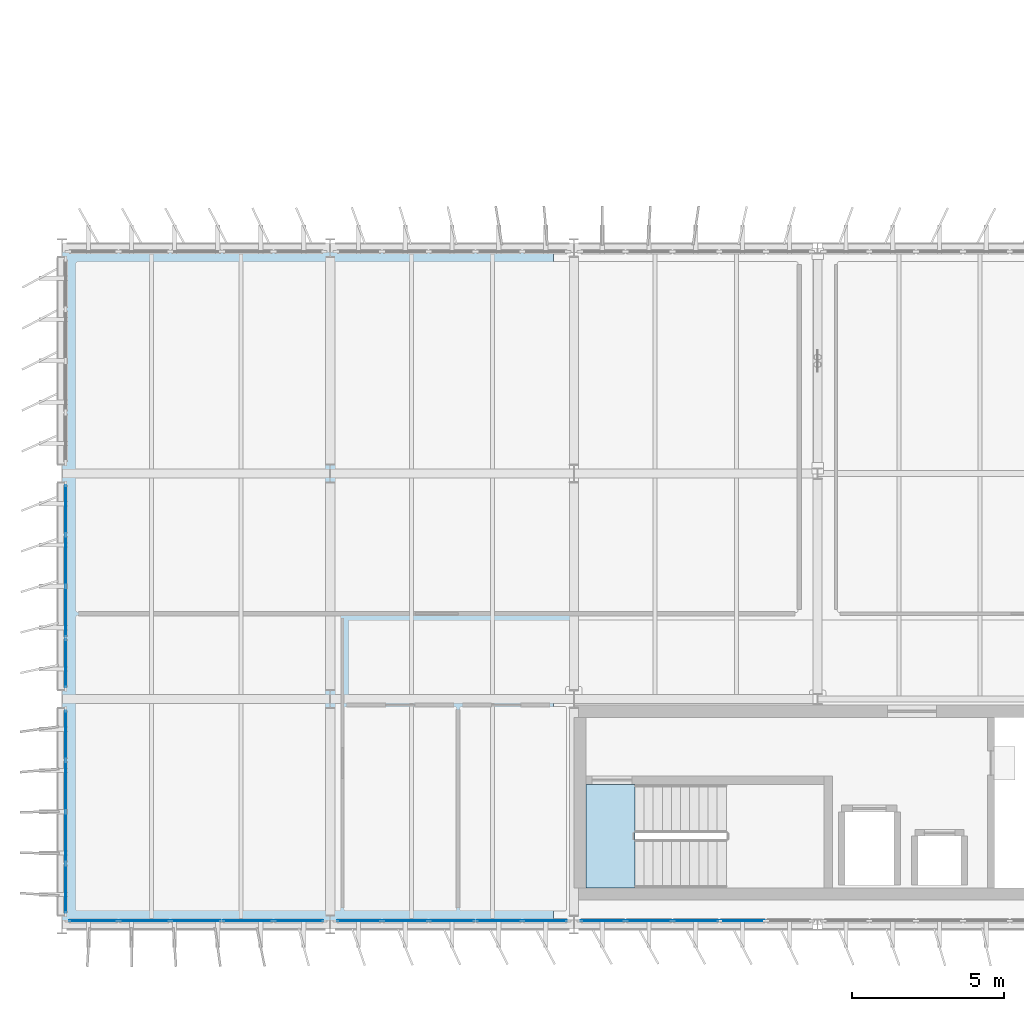
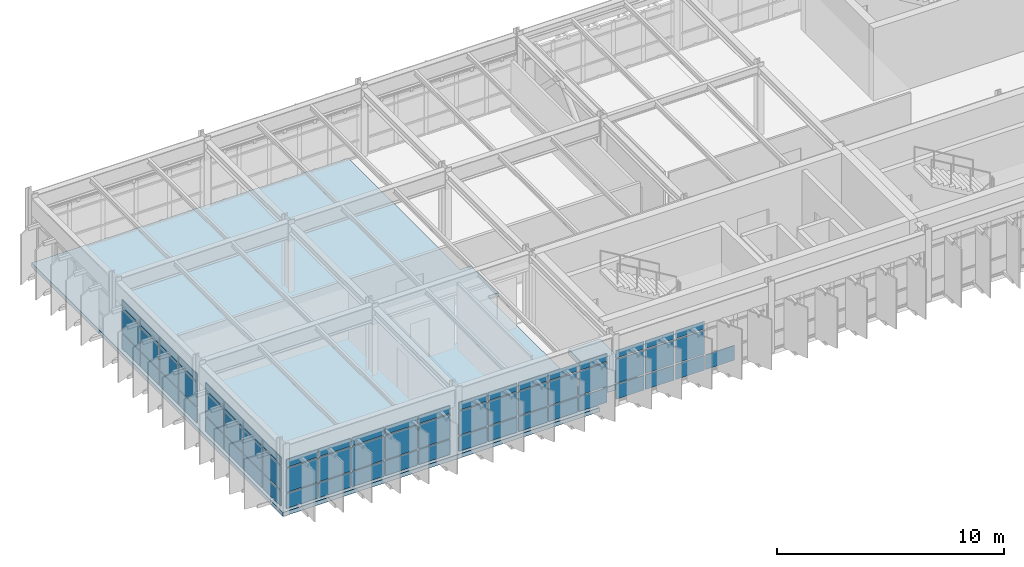
# One storey, part 23 of 45: 64 plates, 2 slabs, 5 elements without a shape of their own.
"""IFC4 building model written with IfcOpenShell, lengths in metres."""

from ifc_helpers import new_model, si_unit, direction, frame, origin, origin_2d, place, context, subcontext, project, spatial, polyline, rectangle, outline, extrude, material, layer, layer_set, type_object, element, aggregate, save


model = new_model("IFC4")

# Units and contexts
model_context = context("Model", 3, precision=1e-05, world=origin(), true_north=direction((0.0, 1.0)))
body_context = subcontext(model_context, "Body", "Model", "MODEL_VIEW")
ifc_project = project(units=[si_unit("LENGTHUNIT", "METRE"), si_unit("AREAUNIT", "SQUARE_METRE"), si_unit("VOLUMEUNIT", "CUBIC_METRE"), si_unit("PLANEANGLEUNIT", "RADIAN"), si_unit("MASSUNIT", "GRAM", prefix="KILO")], contexts=[model_context])

# Site, building, storey
site_placement = place(None, origin())
site = spatial("IfcSite", under=ifc_project, at=site_placement, CompositionType="ELEMENT")
building_placement = place(site_placement, origin())
building = spatial("IfcBuilding", under=site, at=building_placement, Name="Valkorina Park Police Headquarters", CompositionType="ELEMENT")
storey_placement = place(building_placement, frame((0.0, 0.0, 23.300048828125)))
storey = spatial("IfcBuildingStorey", under=building, at=storey_placement, Name="L06", CompositionType="ELEMENT", Elevation=23.300048828125)

# Curtain wall, plates
ifc_material_1 = material(Name="Thermally broken aluminium AW-6060", Category="aluminium")
ifc_layer_1 = layer(ifc_material_1, 0.18994140625)
ifc_layer_set_1 = layer_set([ifc_layer_1], Name="Thermally broken aluminium AW-6060")
curtain_wall_type_1 = type_object("IfcCurtainWallType", Name="CW-V5-6780x2770", PredefinedType="NOTDEFINED", material=ifc_layer_set_1)
curtain_wall_1_placement = place(storey_placement, origin())
curtain_wall_1 = element("IfcCurtainWall", 1, at=curtain_wall_1_placement, inside=storey, type_object=curtain_wall_type_1, Name="L06 Unitised Curtain Wall 097", PredefinedType="NOTDEFINED")
ifc_layer_2 = layer(ifc_material_1, 0.050048828125)
ifc_layer_set_2 = layer_set([ifc_layer_2], Name="Thermally broken aluminium AW-6060")
plate_type_1 = type_object("IfcPlateType", Name="PL-CWP-SPANDREL-50", PredefinedType="CURTAIN_PANEL", material=ifc_layer_set_2)
plate_1_placement = place(storey_placement, frame((0.1201171875, 38.175048828125, 0.070068359375), z_axis=(0.0, 0.0, 1.0), x_axis=(0.0, 1.0, 0.0)))
plate_1 = element("IfcPlate", 2, at=plate_1_placement, type_object=plate_type_1, Name="CW-V5-678-277 panel 1.1", PredefinedType="CURTAIN_PANEL", context=body_context, shape_type="SweptSolid", body=[
    extrude(rectangle(XDim=1.590087890625, YDim=0.028076171875, at=origin_2d()), origin(), (0.0, 0.0, 1.0), 0.794921875),
])
plate_2_placement = place(storey_placement, frame((0.1201171875, 39.8525390625, 0.070068359375), z_axis=(0.0, 0.0, 1.0), x_axis=(0.0, 1.0, 0.0)))
plate_2 = element("IfcPlate", 3, at=plate_2_placement, type_object=plate_type_1, Name="CW-V5-678-277 panel 2.1", PredefinedType="CURTAIN_PANEL", context=body_context, shape_type="SweptSolid", body=[
    extrude(rectangle(XDim=1.625, YDim=0.028076171875, at=origin_2d()), origin(), (0.0, 0.0, 1.0), 0.794921875),
])
plate_3_placement = place(storey_placement, frame((0.1201171875, 41.547607421875, 0.070068359375), z_axis=(0.0, 0.0, 1.0), x_axis=(0.0, 1.0, 0.0)))
plate_3 = element("IfcPlate", 4, at=plate_3_placement, type_object=plate_type_1, Name="CW-V5-678-277 panel 3.1", PredefinedType="CURTAIN_PANEL", context=body_context, shape_type="SweptSolid", body=[
    extrude(rectangle(XDim=1.625, YDim=0.028076171875, at=origin_2d()), origin(), (0.0, 0.0, 1.0), 0.794921875),
])
plate_4_placement = place(storey_placement, frame((0.1201171875, 43.22509765625, 0.070068359375), z_axis=(0.0, 0.0, 1.0), x_axis=(0.0, 1.0, 0.0)))
plate_4 = element("IfcPlate", 5, at=plate_4_placement, type_object=plate_type_1, Name="CW-V5-678-277 panel 4.1", PredefinedType="CURTAIN_PANEL", context=body_context, shape_type="SweptSolid", body=[
    extrude(rectangle(XDim=1.590087890625, YDim=0.028076171875, at=origin_2d()), origin(), (0.0, 0.0, 1.0), 0.794921875),
])

curtain_wall_2_placement = place(storey_placement, origin())
curtain_wall_2 = element("IfcCurtainWall", 6, at=curtain_wall_2_placement, inside=storey, type_object=curtain_wall_type_1, Name="L06 Unitised Curtain Wall 098", PredefinedType="NOTDEFINED")
plate_5_placement = place(storey_placement, frame((0.1201171875, 45.574951171875, 0.070068359375), z_axis=(0.0, 0.0, 1.0), x_axis=(0.0, 1.0, 0.0)))
plate_5 = element("IfcPlate", 7, at=plate_5_placement, type_object=plate_type_1, Name="CW-V5-678-277 panel 1.1", PredefinedType="CURTAIN_PANEL", context=body_context, shape_type="SweptSolid", body=[
    extrude(rectangle(XDim=1.590087890625, YDim=0.028076171875, at=origin_2d()), origin(), (0.0, 0.0, 1.0), 0.794921875),
])
plate_6_placement = place(storey_placement, frame((0.1201171875, 47.25244140625, 0.070068359375), z_axis=(0.0, 0.0, 1.0), x_axis=(0.0, 1.0, 0.0)))
plate_6 = element("IfcPlate", 8, at=plate_6_placement, type_object=plate_type_1, Name="CW-V5-678-277 panel 2.1", PredefinedType="CURTAIN_PANEL", context=body_context, shape_type="SweptSolid", body=[
    extrude(rectangle(XDim=1.625, YDim=0.028076171875, at=origin_2d()), origin(), (0.0, 0.0, 1.0), 0.794921875),
])
plate_7_placement = place(storey_placement, frame((0.1201171875, 48.947509765625, 0.070068359375), z_axis=(0.0, 0.0, 1.0), x_axis=(0.0, 1.0, 0.0)))
plate_7 = element("IfcPlate", 9, at=plate_7_placement, type_object=plate_type_1, Name="CW-V5-678-277 panel 3.1", PredefinedType="CURTAIN_PANEL", context=body_context, shape_type="SweptSolid", body=[
    extrude(rectangle(XDim=1.625, YDim=0.028076171875, at=origin_2d()), origin(), (0.0, 0.0, 1.0), 0.794921875),
])
plate_8_placement = place(storey_placement, frame((0.1201171875, 50.625, 0.070068359375), z_axis=(0.0, 0.0, 1.0), x_axis=(0.0, 1.0, 0.0)))
plate_8 = element("IfcPlate", 10, at=plate_8_placement, type_object=plate_type_1, Name="CW-V5-678-277 panel 4.1", PredefinedType="CURTAIN_PANEL", context=body_context, shape_type="SweptSolid", body=[
    extrude(rectangle(XDim=1.590087890625, YDim=0.028076171875, at=origin_2d()), origin(), (0.0, 0.0, 1.0), 0.794921875),
])

ifc_layer_3 = layer(ifc_material_1, 0.18994140625)
ifc_layer_set_3 = layer_set([ifc_layer_3], Name="Thermally broken aluminium AW-6060")
curtain_wall_type_2 = type_object("IfcCurtainWallType", Name="CW-V5-7680x2770", PredefinedType="NOTDEFINED", material=ifc_layer_set_3)
curtain_wall_3_placement = place(storey_placement, origin())
curtain_wall_3 = element("IfcCurtainWall", 11, at=curtain_wall_3_placement, inside=storey, type_object=curtain_wall_type_2, Name="L06 Unitised Curtain Wall 130", PredefinedType="NOTDEFINED")
plate_9_placement = place(storey_placement, frame((22.3359375, 37.1201171875, 0.070068359375), z_axis=(0.0, 0.0, 1.0), x_axis=(-1.0, 0.0, 0.0)))
plate_9 = element("IfcPlate", 12, at=plate_9_placement, type_object=plate_type_1, Name="CW-V5-768-277 panel 2.1", PredefinedType="CURTAIN_PANEL", context=body_context, shape_type="SweptSolid", body=[
    extrude(rectangle(XDim=1.466064453125, YDim=0.028076171875, at=origin_2d()), origin(), (0.0, 0.0, 1.0), 0.794921875),
])
plate_10_placement = place(storey_placement, frame((20.800048828125, 37.1201171875, 0.070068359375), z_axis=(0.0, 0.0, 1.0), x_axis=(-1.0, 0.0, 0.0)))
plate_10 = element("IfcPlate", 13, at=plate_10_placement, type_object=plate_type_1, Name="CW-V5-768-277 panel 3.1", PredefinedType="CURTAIN_PANEL", context=body_context, shape_type="SweptSolid", body=[
    extrude(rectangle(XDim=1.466064453125, YDim=0.028076171875, at=origin_2d()), origin(), (0.0, 0.0, 1.0), 0.794921875),
])
plate_11_placement = place(storey_placement, frame((19.263916015625, 37.1201171875, 0.070068359375), z_axis=(0.0, 0.0, 1.0), x_axis=(-1.0, 0.0, 0.0)))
plate_11 = element("IfcPlate", 14, at=plate_11_placement, type_object=plate_type_1, Name="CW-V5-768-277 panel 4.1", PredefinedType="CURTAIN_PANEL", context=body_context, shape_type="SweptSolid", body=[
    extrude(rectangle(XDim=1.466064453125, YDim=0.028076171875, at=origin_2d()), origin(), (0.0, 0.0, 1.0), 0.794921875),
])
plate_12_placement = place(storey_placement, frame((17.74560546875, 37.1201171875, 0.070068359375), z_axis=(0.0, 0.0, 1.0), x_axis=(-1.0, 0.0, 0.0)))
plate_12 = element("IfcPlate", 15, at=plate_12_placement, type_object=plate_type_1, Name="CW-V5-768-277 panel 5.1", PredefinedType="CURTAIN_PANEL", context=body_context, shape_type="SweptSolid", body=[
    extrude(rectangle(XDim=1.430908203125, YDim=0.028076171875, at=origin_2d()), origin(), (0.0, 0.0, 1.0), 0.794921875),
])

curtain_wall_4_placement = place(storey_placement, origin())
curtain_wall_4 = element("IfcCurtainWall", 16, at=curtain_wall_4_placement, inside=storey, type_object=curtain_wall_type_2, Name="L06 Unitised Curtain Wall 131", PredefinedType="NOTDEFINED")
plate_13_placement = place(storey_placement, frame((15.8544921875, 37.1201171875, 0.070068359375), z_axis=(0.0, 0.0, 1.0), x_axis=(-1.0, 0.0, 0.0)))
plate_13 = element("IfcPlate", 17, at=plate_13_placement, type_object=plate_type_1, Name="CW-V5-768-277 panel 1.1", PredefinedType="CURTAIN_PANEL", context=body_context, shape_type="SweptSolid", body=[
    extrude(rectangle(XDim=1.430908203125, YDim=0.028076171875, at=origin_2d()), origin(), (0.0, 0.0, 1.0), 0.794921875),
])
plate_14_placement = place(storey_placement, frame((14.3359375, 37.1201171875, 0.070068359375), z_axis=(0.0, 0.0, 1.0), x_axis=(-1.0, 0.0, 0.0)))
plate_14 = element("IfcPlate", 18, at=plate_14_placement, type_object=plate_type_1, Name="CW-V5-768-277 panel 2.1", PredefinedType="CURTAIN_PANEL", context=body_context, shape_type="SweptSolid", body=[
    extrude(rectangle(XDim=1.466064453125, YDim=0.028076171875, at=origin_2d()), origin(), (0.0, 0.0, 1.0), 0.794921875),
])
plate_15_placement = place(storey_placement, frame((12.800048828125, 37.1201171875, 0.070068359375), z_axis=(0.0, 0.0, 1.0), x_axis=(-1.0, 0.0, 0.0)))
plate_15 = element("IfcPlate", 19, at=plate_15_placement, type_object=plate_type_1, Name="CW-V5-768-277 panel 3.1", PredefinedType="CURTAIN_PANEL", context=body_context, shape_type="SweptSolid", body=[
    extrude(rectangle(XDim=1.466064453125, YDim=0.028076171875, at=origin_2d()), origin(), (0.0, 0.0, 1.0), 0.794921875),
])
plate_16_placement = place(storey_placement, frame((11.263916015625, 37.1201171875, 0.070068359375), z_axis=(0.0, 0.0, 1.0), x_axis=(-1.0, 0.0, 0.0)))
plate_16 = element("IfcPlate", 20, at=plate_16_placement, type_object=plate_type_1, Name="CW-V5-768-277 panel 4.1", PredefinedType="CURTAIN_PANEL", context=body_context, shape_type="SweptSolid", body=[
    extrude(rectangle(XDim=1.466064453125, YDim=0.028076171875, at=origin_2d()), origin(), (0.0, 0.0, 1.0), 0.794921875),
])
plate_17_placement = place(storey_placement, frame((9.74560546875, 37.1201171875, 0.070068359375), z_axis=(0.0, 0.0, 1.0), x_axis=(-1.0, 0.0, 0.0)))
plate_17 = element("IfcPlate", 21, at=plate_17_placement, type_object=plate_type_1, Name="CW-V5-768-277 panel 5.1", PredefinedType="CURTAIN_PANEL", context=body_context, shape_type="SweptSolid", body=[
    extrude(rectangle(XDim=1.430908203125, YDim=0.028076171875, at=origin_2d()), origin(), (0.0, 0.0, 1.0), 0.794921875),
])

ifc_layer_4 = layer(ifc_material_1, 0.18994140625)
ifc_layer_set_4 = layer_set([ifc_layer_4], Name="Thermally broken aluminium AW-6060")
curtain_wall_type_3 = type_object("IfcCurtainWallType", Name="CW-V5-8480x2770", PredefinedType="NOTDEFINED", material=ifc_layer_set_4)
curtain_wall_5_placement = place(storey_placement, origin())
curtain_wall_5 = element("IfcCurtainWall", 22, at=curtain_wall_5_placement, inside=storey, type_object=curtain_wall_type_3, Name="L06 Unitised Curtain Wall 132", PredefinedType="NOTDEFINED")
plate_18_placement = place(storey_placement, frame((7.7744140625, 37.1201171875, 0.070068359375), z_axis=(0.0, 0.0, 1.0), x_axis=(-1.0, 0.0, 0.0)))
plate_18 = element("IfcPlate", 23, at=plate_18_placement, type_object=plate_type_1, Name="CW-V5-848-277 panel 1.1", PredefinedType="CURTAIN_PANEL", context=body_context, shape_type="SweptSolid", body=[
    extrude(rectangle(XDim=1.591064453125, YDim=0.028076171875, at=origin_2d()), origin(), (0.0, 0.0, 1.0), 0.794921875),
])
plate_19_placement = place(storey_placement, frame((6.095947265625, 37.1201171875, 0.070068359375), z_axis=(0.0, 0.0, 1.0), x_axis=(-1.0, 0.0, 0.0)))
plate_19 = element("IfcPlate", 24, at=plate_19_placement, type_object=plate_type_1, Name="CW-V5-848-277 panel 2.1", PredefinedType="CURTAIN_PANEL", context=body_context, shape_type="SweptSolid", body=[
    extrude(rectangle(XDim=1.6259765625, YDim=0.028076171875, at=origin_2d()), origin(), (0.0, 0.0, 1.0), 0.794921875),
])
plate_20_placement = place(storey_placement, frame((4.39990234375, 37.1201171875, 0.070068359375), z_axis=(0.0, 0.0, 1.0), x_axis=(-1.0, 0.0, 0.0)))
plate_20 = element("IfcPlate", 25, at=plate_20_placement, type_object=plate_type_1, Name="CW-V5-848-277 panel 3.1", PredefinedType="CURTAIN_PANEL", context=body_context, shape_type="SweptSolid", body=[
    extrude(rectangle(XDim=1.6259765625, YDim=0.028076171875, at=origin_2d()), origin(), (0.0, 0.0, 1.0), 0.794921875),
])
plate_21_placement = place(storey_placement, frame((2.7041015625, 37.1201171875, 0.070068359375), z_axis=(0.0, 0.0, 1.0), x_axis=(-1.0, 0.0, 0.0)))
plate_21 = element("IfcPlate", 26, at=plate_21_placement, type_object=plate_type_1, Name="CW-V5-848-277 panel 4.1", PredefinedType="CURTAIN_PANEL", context=body_context, shape_type="SweptSolid", body=[
    extrude(rectangle(XDim=1.6259765625, YDim=0.028076171875, at=origin_2d()), origin(), (0.0, 0.0, 1.0), 0.794921875),
])
plate_22_placement = place(storey_placement, frame((1.025390625, 37.1201171875, 0.070068359375), z_axis=(0.0, 0.0, 1.0), x_axis=(-1.0, 0.0, 0.0)))
plate_22 = element("IfcPlate", 27, at=plate_22_placement, type_object=plate_type_1, Name="CW-V5-848-277 panel 5.1", PredefinedType="CURTAIN_PANEL", context=body_context, shape_type="SweptSolid", body=[
    extrude(rectangle(XDim=1.591064453125, YDim=0.028076171875, at=origin_2d()), origin(), (0.0, 0.0, 1.0), 0.794921875),
])

# Plate
ifc_material_2 = material(Name="Triple low-E insulated glazing", Category="glass")
ifc_layer_5 = layer(ifc_material_2, 0.028076171875)
ifc_layer_set_5 = layer_set([ifc_layer_5], Name="Triple low-E insulated glazing")
plate_type_2 = type_object("IfcPlateType", Name="PL-CWP-VISION-28", PredefinedType="CURTAIN_PANEL", material=ifc_layer_set_5)
plate_23_placement = place(storey_placement, frame((0.1201171875, 38.175048828125, 0.93505859375), z_axis=(0.0, 0.0, 1.0), x_axis=(0.0, 1.0, 0.0)))
plate_23 = element("IfcPlate", 28, at=plate_23_placement, type_object=plate_type_2, Name="CW-V5-678-277 panel 1.2", PredefinedType="CURTAIN_PANEL", context=body_context, shape_type="SweptSolid", body=[
    extrude(rectangle(XDim=1.590087890625, YDim=0.028076171875, at=origin_2d()), origin(), (0.0, 0.0, 1.0), 1.280029296875),
])

plate_24_placement = place(storey_placement, frame((0.1201171875, 38.175048828125, 2.284912109375), z_axis=(0.0, 0.0, 1.0), x_axis=(0.0, 1.0, 0.0)))
plate_24 = element("IfcPlate", 29, at=plate_24_placement, type_object=plate_type_2, Name="CW-V5-678-277 panel 1.3", PredefinedType="CURTAIN_PANEL", context=body_context, shape_type="SweptSolid", body=[
    extrude(rectangle(XDim=1.590087890625, YDim=0.028076171875, at=origin_2d()), origin(), (0.0, 0.0, 1.0), 0.4150390625),
])

plate_25_placement = place(storey_placement, frame((0.1201171875, 39.8525390625, 0.93505859375), z_axis=(0.0, 0.0, 1.0), x_axis=(0.0, 1.0, 0.0)))
plate_25 = element("IfcPlate", 30, at=plate_25_placement, type_object=plate_type_2, Name="CW-V5-678-277 panel 2.2", PredefinedType="CURTAIN_PANEL", context=body_context, shape_type="SweptSolid", body=[
    extrude(rectangle(XDim=1.625, YDim=0.028076171875, at=origin_2d()), origin(), (0.0, 0.0, 1.0), 1.280029296875),
])

plate_26_placement = place(storey_placement, frame((0.1201171875, 39.8525390625, 2.284912109375), z_axis=(0.0, 0.0, 1.0), x_axis=(0.0, 1.0, 0.0)))
plate_26 = element("IfcPlate", 31, at=plate_26_placement, type_object=plate_type_2, Name="CW-V5-678-277 panel 2.3", PredefinedType="CURTAIN_PANEL", context=body_context, shape_type="SweptSolid", body=[
    extrude(rectangle(XDim=1.625, YDim=0.028076171875, at=origin_2d()), origin(), (0.0, 0.0, 1.0), 0.4150390625),
])

plate_27_placement = place(storey_placement, frame((0.1201171875, 41.547607421875, 0.93505859375), z_axis=(0.0, 0.0, 1.0), x_axis=(0.0, 1.0, 0.0)))
plate_27 = element("IfcPlate", 32, at=plate_27_placement, type_object=plate_type_2, Name="CW-V5-678-277 panel 3.2", PredefinedType="CURTAIN_PANEL", context=body_context, shape_type="SweptSolid", body=[
    extrude(rectangle(XDim=1.625, YDim=0.028076171875, at=origin_2d()), origin(), (0.0, 0.0, 1.0), 1.280029296875),
])

plate_28_placement = place(storey_placement, frame((0.1201171875, 41.547607421875, 2.284912109375), z_axis=(0.0, 0.0, 1.0), x_axis=(0.0, 1.0, 0.0)))
plate_28 = element("IfcPlate", 33, at=plate_28_placement, type_object=plate_type_2, Name="CW-V5-678-277 panel 3.3", PredefinedType="CURTAIN_PANEL", context=body_context, shape_type="SweptSolid", body=[
    extrude(rectangle(XDim=1.625, YDim=0.028076171875, at=origin_2d()), origin(), (0.0, 0.0, 1.0), 0.4150390625),
])

plate_29_placement = place(storey_placement, frame((0.1201171875, 43.22509765625, 0.93505859375), z_axis=(0.0, 0.0, 1.0), x_axis=(0.0, 1.0, 0.0)))
plate_29 = element("IfcPlate", 34, at=plate_29_placement, type_object=plate_type_2, Name="CW-V5-678-277 panel 4.2", PredefinedType="CURTAIN_PANEL", context=body_context, shape_type="SweptSolid", body=[
    extrude(rectangle(XDim=1.590087890625, YDim=0.028076171875, at=origin_2d()), origin(), (0.0, 0.0, 1.0), 1.280029296875),
])

plate_30_placement = place(storey_placement, frame((0.1201171875, 43.22509765625, 2.284912109375), z_axis=(0.0, 0.0, 1.0), x_axis=(0.0, 1.0, 0.0)))
plate_30 = element("IfcPlate", 35, at=plate_30_placement, type_object=plate_type_2, Name="CW-V5-678-277 panel 4.3", PredefinedType="CURTAIN_PANEL", context=body_context, shape_type="SweptSolid", body=[
    extrude(rectangle(XDim=1.590087890625, YDim=0.028076171875, at=origin_2d()), origin(), (0.0, 0.0, 1.0), 0.4150390625),
])

aggregate(curtain_wall_1, [plate_1, plate_23, plate_24, plate_2, plate_25, plate_26, plate_3, plate_27, plate_28, plate_4, plate_29, plate_30])

plate_31_placement = place(storey_placement, frame((0.1201171875, 45.574951171875, 0.93505859375), z_axis=(0.0, 0.0, 1.0), x_axis=(0.0, 1.0, 0.0)))
plate_31 = element("IfcPlate", 36, at=plate_31_placement, type_object=plate_type_2, Name="CW-V5-678-277 panel 1.2", PredefinedType="CURTAIN_PANEL", context=body_context, shape_type="SweptSolid", body=[
    extrude(rectangle(XDim=1.590087890625, YDim=0.028076171875, at=origin_2d()), origin(), (0.0, 0.0, 1.0), 1.280029296875),
])

plate_32_placement = place(storey_placement, frame((0.1201171875, 45.574951171875, 2.284912109375), z_axis=(0.0, 0.0, 1.0), x_axis=(0.0, 1.0, 0.0)))
plate_32 = element("IfcPlate", 37, at=plate_32_placement, type_object=plate_type_2, Name="CW-V5-678-277 panel 1.3", PredefinedType="CURTAIN_PANEL", context=body_context, shape_type="SweptSolid", body=[
    extrude(rectangle(XDim=1.590087890625, YDim=0.028076171875, at=origin_2d()), origin(), (0.0, 0.0, 1.0), 0.4150390625),
])

plate_33_placement = place(storey_placement, frame((0.1201171875, 47.25244140625, 0.93505859375), z_axis=(0.0, 0.0, 1.0), x_axis=(0.0, 1.0, 0.0)))
plate_33 = element("IfcPlate", 38, at=plate_33_placement, type_object=plate_type_2, Name="CW-V5-678-277 panel 2.2", PredefinedType="CURTAIN_PANEL", context=body_context, shape_type="SweptSolid", body=[
    extrude(rectangle(XDim=1.625, YDim=0.028076171875, at=origin_2d()), origin(), (0.0, 0.0, 1.0), 1.280029296875),
])

plate_34_placement = place(storey_placement, frame((0.1201171875, 47.25244140625, 2.284912109375), z_axis=(0.0, 0.0, 1.0), x_axis=(0.0, 1.0, 0.0)))
plate_34 = element("IfcPlate", 39, at=plate_34_placement, type_object=plate_type_2, Name="CW-V5-678-277 panel 2.3", PredefinedType="CURTAIN_PANEL", context=body_context, shape_type="SweptSolid", body=[
    extrude(rectangle(XDim=1.625, YDim=0.028076171875, at=origin_2d()), origin(), (0.0, 0.0, 1.0), 0.4150390625),
])

plate_35_placement = place(storey_placement, frame((0.1201171875, 48.947509765625, 0.93505859375), z_axis=(0.0, 0.0, 1.0), x_axis=(0.0, 1.0, 0.0)))
plate_35 = element("IfcPlate", 40, at=plate_35_placement, type_object=plate_type_2, Name="CW-V5-678-277 panel 3.2", PredefinedType="CURTAIN_PANEL", context=body_context, shape_type="SweptSolid", body=[
    extrude(rectangle(XDim=1.625, YDim=0.028076171875, at=origin_2d()), origin(), (0.0, 0.0, 1.0), 1.280029296875),
])

plate_36_placement = place(storey_placement, frame((0.1201171875, 48.947509765625, 2.284912109375), z_axis=(0.0, 0.0, 1.0), x_axis=(0.0, 1.0, 0.0)))
plate_36 = element("IfcPlate", 41, at=plate_36_placement, type_object=plate_type_2, Name="CW-V5-678-277 panel 3.3", PredefinedType="CURTAIN_PANEL", context=body_context, shape_type="SweptSolid", body=[
    extrude(rectangle(XDim=1.625, YDim=0.028076171875, at=origin_2d()), origin(), (0.0, 0.0, 1.0), 0.4150390625),
])

plate_37_placement = place(storey_placement, frame((0.1201171875, 50.625, 0.93505859375), z_axis=(0.0, 0.0, 1.0), x_axis=(0.0, 1.0, 0.0)))
plate_37 = element("IfcPlate", 42, at=plate_37_placement, type_object=plate_type_2, Name="CW-V5-678-277 panel 4.2", PredefinedType="CURTAIN_PANEL", context=body_context, shape_type="SweptSolid", body=[
    extrude(rectangle(XDim=1.590087890625, YDim=0.028076171875, at=origin_2d()), origin(), (0.0, 0.0, 1.0), 1.280029296875),
])

plate_38_placement = place(storey_placement, frame((0.1201171875, 50.625, 2.284912109375), z_axis=(0.0, 0.0, 1.0), x_axis=(0.0, 1.0, 0.0)))
plate_38 = element("IfcPlate", 43, at=plate_38_placement, type_object=plate_type_2, Name="CW-V5-678-277 panel 4.3", PredefinedType="CURTAIN_PANEL", context=body_context, shape_type="SweptSolid", body=[
    extrude(rectangle(XDim=1.590087890625, YDim=0.028076171875, at=origin_2d()), origin(), (0.0, 0.0, 1.0), 0.4150390625),
])

aggregate(curtain_wall_2, [plate_5, plate_31, plate_32, plate_6, plate_33, plate_34, plate_7, plate_35, plate_36, plate_8, plate_37, plate_38])

plate_39_placement = place(storey_placement, frame((20.800048828125, 37.1201171875, 0.93505859375), z_axis=(0.0, 0.0, 1.0), x_axis=(-1.0, 0.0, 0.0)))
plate_39 = element("IfcPlate", 44, at=plate_39_placement, type_object=plate_type_2, Name="CW-V5-768-277 panel 3.2", PredefinedType="CURTAIN_PANEL", context=body_context, shape_type="SweptSolid", body=[
    extrude(rectangle(XDim=1.466064453125, YDim=0.028076171875, at=origin_2d()), origin(), (0.0, 0.0, 1.0), 1.280029296875),
])

plate_40_placement = place(storey_placement, frame((20.800048828125, 37.1201171875, 2.284912109375), z_axis=(0.0, 0.0, 1.0), x_axis=(-1.0, 0.0, 0.0)))
plate_40 = element("IfcPlate", 45, at=plate_40_placement, type_object=plate_type_2, Name="CW-V5-768-277 panel 3.3", PredefinedType="CURTAIN_PANEL", context=body_context, shape_type="SweptSolid", body=[
    extrude(rectangle(XDim=1.466064453125, YDim=0.028076171875, at=origin_2d()), origin(), (0.0, 0.0, 1.0), 0.4150390625),
])

plate_41_placement = place(storey_placement, frame((19.263916015625, 37.1201171875, 0.93505859375), z_axis=(0.0, 0.0, 1.0), x_axis=(-1.0, 0.0, 0.0)))
plate_41 = element("IfcPlate", 46, at=plate_41_placement, type_object=plate_type_2, Name="CW-V5-768-277 panel 4.2", PredefinedType="CURTAIN_PANEL", context=body_context, shape_type="SweptSolid", body=[
    extrude(rectangle(XDim=1.466064453125, YDim=0.028076171875, at=origin_2d()), origin(), (0.0, 0.0, 1.0), 1.280029296875),
])

plate_42_placement = place(storey_placement, frame((19.263916015625, 37.1201171875, 2.284912109375), z_axis=(0.0, 0.0, 1.0), x_axis=(-1.0, 0.0, 0.0)))
plate_42 = element("IfcPlate", 47, at=plate_42_placement, type_object=plate_type_2, Name="CW-V5-768-277 panel 4.3", PredefinedType="CURTAIN_PANEL", context=body_context, shape_type="SweptSolid", body=[
    extrude(rectangle(XDim=1.466064453125, YDim=0.028076171875, at=origin_2d()), origin(), (0.0, 0.0, 1.0), 0.4150390625),
])

plate_43_placement = place(storey_placement, frame((17.74560546875, 37.1201171875, 0.93505859375), z_axis=(0.0, 0.0, 1.0), x_axis=(-1.0, 0.0, 0.0)))
plate_43 = element("IfcPlate", 48, at=plate_43_placement, type_object=plate_type_2, Name="CW-V5-768-277 panel 5.2", PredefinedType="CURTAIN_PANEL", context=body_context, shape_type="SweptSolid", body=[
    extrude(rectangle(XDim=1.430908203125, YDim=0.028076171875, at=origin_2d()), origin(), (0.0, 0.0, 1.0), 1.280029296875),
])

plate_44_placement = place(storey_placement, frame((17.74560546875, 37.1201171875, 2.284912109375), z_axis=(0.0, 0.0, 1.0), x_axis=(-1.0, 0.0, 0.0)))
plate_44 = element("IfcPlate", 49, at=plate_44_placement, type_object=plate_type_2, Name="CW-V5-768-277 panel 5.3", PredefinedType="CURTAIN_PANEL", context=body_context, shape_type="SweptSolid", body=[
    extrude(rectangle(XDim=1.430908203125, YDim=0.028076171875, at=origin_2d()), origin(), (0.0, 0.0, 1.0), 0.4150390625),
])

aggregate(curtain_wall_3, [plate_9, plate_10, plate_39, plate_40, plate_11, plate_41, plate_42, plate_12, plate_43, plate_44])

plate_45_placement = place(storey_placement, frame((15.8544921875, 37.1201171875, 0.93505859375), z_axis=(0.0, 0.0, 1.0), x_axis=(-1.0, 0.0, 0.0)))
plate_45 = element("IfcPlate", 50, at=plate_45_placement, type_object=plate_type_2, Name="CW-V5-768-277 panel 1.2", PredefinedType="CURTAIN_PANEL", context=body_context, shape_type="SweptSolid", body=[
    extrude(rectangle(XDim=1.430908203125, YDim=0.028076171875, at=origin_2d()), origin(), (0.0, 0.0, 1.0), 1.280029296875),
])

plate_46_placement = place(storey_placement, frame((15.8544921875, 37.1201171875, 2.284912109375), z_axis=(0.0, 0.0, 1.0), x_axis=(-1.0, 0.0, 0.0)))
plate_46 = element("IfcPlate", 51, at=plate_46_placement, type_object=plate_type_2, Name="CW-V5-768-277 panel 1.3", PredefinedType="CURTAIN_PANEL", context=body_context, shape_type="SweptSolid", body=[
    extrude(rectangle(XDim=1.430908203125, YDim=0.028076171875, at=origin_2d()), origin(), (0.0, 0.0, 1.0), 0.4150390625),
])

plate_47_placement = place(storey_placement, frame((14.3359375, 37.1201171875, 0.93505859375), z_axis=(0.0, 0.0, 1.0), x_axis=(-1.0, 0.0, 0.0)))
plate_47 = element("IfcPlate", 52, at=plate_47_placement, type_object=plate_type_2, Name="CW-V5-768-277 panel 2.2", PredefinedType="CURTAIN_PANEL", context=body_context, shape_type="SweptSolid", body=[
    extrude(rectangle(XDim=1.466064453125, YDim=0.028076171875, at=origin_2d()), origin(), (0.0, 0.0, 1.0), 1.280029296875),
])

plate_48_placement = place(storey_placement, frame((14.3359375, 37.1201171875, 2.284912109375), z_axis=(0.0, 0.0, 1.0), x_axis=(-1.0, 0.0, 0.0)))
plate_48 = element("IfcPlate", 53, at=plate_48_placement, type_object=plate_type_2, Name="CW-V5-768-277 panel 2.3", PredefinedType="CURTAIN_PANEL", context=body_context, shape_type="SweptSolid", body=[
    extrude(rectangle(XDim=1.466064453125, YDim=0.028076171875, at=origin_2d()), origin(), (0.0, 0.0, 1.0), 0.4150390625),
])

plate_49_placement = place(storey_placement, frame((12.800048828125, 37.1201171875, 0.93505859375), z_axis=(0.0, 0.0, 1.0), x_axis=(-1.0, 0.0, 0.0)))
plate_49 = element("IfcPlate", 54, at=plate_49_placement, type_object=plate_type_2, Name="CW-V5-768-277 panel 3.2", PredefinedType="CURTAIN_PANEL", context=body_context, shape_type="SweptSolid", body=[
    extrude(rectangle(XDim=1.466064453125, YDim=0.028076171875, at=origin_2d()), origin(), (0.0, 0.0, 1.0), 1.280029296875),
])

plate_50_placement = place(storey_placement, frame((12.800048828125, 37.1201171875, 2.284912109375), z_axis=(0.0, 0.0, 1.0), x_axis=(-1.0, 0.0, 0.0)))
plate_50 = element("IfcPlate", 55, at=plate_50_placement, type_object=plate_type_2, Name="CW-V5-768-277 panel 3.3", PredefinedType="CURTAIN_PANEL", context=body_context, shape_type="SweptSolid", body=[
    extrude(rectangle(XDim=1.466064453125, YDim=0.028076171875, at=origin_2d()), origin(), (0.0, 0.0, 1.0), 0.4150390625),
])

plate_51_placement = place(storey_placement, frame((11.263916015625, 37.1201171875, 0.93505859375), z_axis=(0.0, 0.0, 1.0), x_axis=(-1.0, 0.0, 0.0)))
plate_51 = element("IfcPlate", 56, at=plate_51_placement, type_object=plate_type_2, Name="CW-V5-768-277 panel 4.2", PredefinedType="CURTAIN_PANEL", context=body_context, shape_type="SweptSolid", body=[
    extrude(rectangle(XDim=1.466064453125, YDim=0.028076171875, at=origin_2d()), origin(), (0.0, 0.0, 1.0), 1.280029296875),
])

plate_52_placement = place(storey_placement, frame((11.263916015625, 37.1201171875, 2.284912109375), z_axis=(0.0, 0.0, 1.0), x_axis=(-1.0, 0.0, 0.0)))
plate_52 = element("IfcPlate", 57, at=plate_52_placement, type_object=plate_type_2, Name="CW-V5-768-277 panel 4.3", PredefinedType="CURTAIN_PANEL", context=body_context, shape_type="SweptSolid", body=[
    extrude(rectangle(XDim=1.466064453125, YDim=0.028076171875, at=origin_2d()), origin(), (0.0, 0.0, 1.0), 0.4150390625),
])

plate_53_placement = place(storey_placement, frame((9.74560546875, 37.1201171875, 0.93505859375), z_axis=(0.0, 0.0, 1.0), x_axis=(-1.0, 0.0, 0.0)))
plate_53 = element("IfcPlate", 58, at=plate_53_placement, type_object=plate_type_2, Name="CW-V5-768-277 panel 5.2", PredefinedType="CURTAIN_PANEL", context=body_context, shape_type="SweptSolid", body=[
    extrude(rectangle(XDim=1.430908203125, YDim=0.028076171875, at=origin_2d()), origin(), (0.0, 0.0, 1.0), 1.280029296875),
])

plate_54_placement = place(storey_placement, frame((9.74560546875, 37.1201171875, 2.284912109375), z_axis=(0.0, 0.0, 1.0), x_axis=(-1.0, 0.0, 0.0)))
plate_54 = element("IfcPlate", 59, at=plate_54_placement, type_object=plate_type_2, Name="CW-V5-768-277 panel 5.3", PredefinedType="CURTAIN_PANEL", context=body_context, shape_type="SweptSolid", body=[
    extrude(rectangle(XDim=1.430908203125, YDim=0.028076171875, at=origin_2d()), origin(), (0.0, 0.0, 1.0), 0.4150390625),
])

aggregate(curtain_wall_4, [plate_13, plate_45, plate_46, plate_14, plate_47, plate_48, plate_15, plate_49, plate_50, plate_16, plate_51, plate_52, plate_17, plate_53, plate_54])

plate_55_placement = place(storey_placement, frame((7.7744140625, 37.1201171875, 0.93505859375), z_axis=(0.0, 0.0, 1.0), x_axis=(-1.0, 0.0, 0.0)))
plate_55 = element("IfcPlate", 60, at=plate_55_placement, type_object=plate_type_2, Name="CW-V5-848-277 panel 1.2", PredefinedType="CURTAIN_PANEL", context=body_context, shape_type="SweptSolid", body=[
    extrude(rectangle(XDim=1.591064453125, YDim=0.028076171875, at=origin_2d()), origin(), (0.0, 0.0, 1.0), 1.280029296875),
])

plate_56_placement = place(storey_placement, frame((7.7744140625, 37.1201171875, 2.284912109375), z_axis=(0.0, 0.0, 1.0), x_axis=(-1.0, 0.0, 0.0)))
plate_56 = element("IfcPlate", 61, at=plate_56_placement, type_object=plate_type_2, Name="CW-V5-848-277 panel 1.3", PredefinedType="CURTAIN_PANEL", context=body_context, shape_type="SweptSolid", body=[
    extrude(rectangle(XDim=1.591064453125, YDim=0.028076171875, at=origin_2d()), origin(), (0.0, 0.0, 1.0), 0.4150390625),
])

plate_57_placement = place(storey_placement, frame((6.095947265625, 37.1201171875, 0.93505859375), z_axis=(0.0, 0.0, 1.0), x_axis=(-1.0, 0.0, 0.0)))
plate_57 = element("IfcPlate", 62, at=plate_57_placement, type_object=plate_type_2, Name="CW-V5-848-277 panel 2.2", PredefinedType="CURTAIN_PANEL", context=body_context, shape_type="SweptSolid", body=[
    extrude(rectangle(XDim=1.6259765625, YDim=0.028076171875, at=origin_2d()), origin(), (0.0, 0.0, 1.0), 1.280029296875),
])

plate_58_placement = place(storey_placement, frame((6.095947265625, 37.1201171875, 2.284912109375), z_axis=(0.0, 0.0, 1.0), x_axis=(-1.0, 0.0, 0.0)))
plate_58 = element("IfcPlate", 63, at=plate_58_placement, type_object=plate_type_2, Name="CW-V5-848-277 panel 2.3", PredefinedType="CURTAIN_PANEL", context=body_context, shape_type="SweptSolid", body=[
    extrude(rectangle(XDim=1.6259765625, YDim=0.028076171875, at=origin_2d()), origin(), (0.0, 0.0, 1.0), 0.4150390625),
])

plate_59_placement = place(storey_placement, frame((4.39990234375, 37.1201171875, 0.93505859375), z_axis=(0.0, 0.0, 1.0), x_axis=(-1.0, 0.0, 0.0)))
plate_59 = element("IfcPlate", 64, at=plate_59_placement, type_object=plate_type_2, Name="CW-V5-848-277 panel 3.2", PredefinedType="CURTAIN_PANEL", context=body_context, shape_type="SweptSolid", body=[
    extrude(rectangle(XDim=1.6259765625, YDim=0.028076171875, at=origin_2d()), origin(), (0.0, 0.0, 1.0), 1.280029296875),
])

plate_60_placement = place(storey_placement, frame((4.39990234375, 37.1201171875, 2.284912109375), z_axis=(0.0, 0.0, 1.0), x_axis=(-1.0, 0.0, 0.0)))
plate_60 = element("IfcPlate", 65, at=plate_60_placement, type_object=plate_type_2, Name="CW-V5-848-277 panel 3.3", PredefinedType="CURTAIN_PANEL", context=body_context, shape_type="SweptSolid", body=[
    extrude(rectangle(XDim=1.6259765625, YDim=0.028076171875, at=origin_2d()), origin(), (0.0, 0.0, 1.0), 0.4150390625),
])

plate_61_placement = place(storey_placement, frame((2.7041015625, 37.1201171875, 0.93505859375), z_axis=(0.0, 0.0, 1.0), x_axis=(-1.0, 0.0, 0.0)))
plate_61 = element("IfcPlate", 66, at=plate_61_placement, type_object=plate_type_2, Name="CW-V5-848-277 panel 4.2", PredefinedType="CURTAIN_PANEL", context=body_context, shape_type="SweptSolid", body=[
    extrude(rectangle(XDim=1.6259765625, YDim=0.028076171875, at=origin_2d()), origin(), (0.0, 0.0, 1.0), 1.280029296875),
])

plate_62_placement = place(storey_placement, frame((2.7041015625, 37.1201171875, 2.284912109375), z_axis=(0.0, 0.0, 1.0), x_axis=(-1.0, 0.0, 0.0)))
plate_62 = element("IfcPlate", 67, at=plate_62_placement, type_object=plate_type_2, Name="CW-V5-848-277 panel 4.3", PredefinedType="CURTAIN_PANEL", context=body_context, shape_type="SweptSolid", body=[
    extrude(rectangle(XDim=1.6259765625, YDim=0.028076171875, at=origin_2d()), origin(), (0.0, 0.0, 1.0), 0.4150390625),
])

plate_63_placement = place(storey_placement, frame((1.025390625, 37.1201171875, 0.93505859375), z_axis=(0.0, 0.0, 1.0), x_axis=(-1.0, 0.0, 0.0)))
plate_63 = element("IfcPlate", 68, at=plate_63_placement, type_object=plate_type_2, Name="CW-V5-848-277 panel 5.2", PredefinedType="CURTAIN_PANEL", context=body_context, shape_type="SweptSolid", body=[
    extrude(rectangle(XDim=1.591064453125, YDim=0.028076171875, at=origin_2d()), origin(), (0.0, 0.0, 1.0), 1.280029296875),
])

plate_64_placement = place(storey_placement, frame((1.025390625, 37.1201171875, 2.284912109375), z_axis=(0.0, 0.0, 1.0), x_axis=(-1.0, 0.0, 0.0)))
plate_64 = element("IfcPlate", 69, at=plate_64_placement, type_object=plate_type_2, Name="CW-V5-848-277 panel 5.3", PredefinedType="CURTAIN_PANEL", context=body_context, shape_type="SweptSolid", body=[
    extrude(rectangle(XDim=1.591064453125, YDim=0.028076171875, at=origin_2d()), origin(), (0.0, 0.0, 1.0), 0.4150390625),
])

aggregate(curtain_wall_5, [plate_18, plate_55, plate_56, plate_19, plate_57, plate_58, plate_20, plate_59, plate_60, plate_21, plate_61, plate_62, plate_22, plate_63, plate_64])

# Slabs
ifc_material_3 = material(Name="Concrete C35/45", Category="concrete")
ifc_layer_6 = layer(ifc_material_3, 0.219970703125)
ifc_layer_set_6 = layer_set([ifc_layer_6], Name="Concrete C35/45")
slab_type_1 = type_object("IfcSlabType", Name="SL-COMP-OFF-150", PredefinedType="FLOOR", material=ifc_layer_set_6)
slab_1_placement = place(storey_placement, frame((0.0, 0.0, -0.219970703125)))
element("IfcSlab", 70, at=slab_1_placement, inside=storey, type_object=slab_type_1, Name="L06 Structural Floor Slab 99", PredefinedType="FLOOR", context=body_context, shape_type="SweptSolid", body=[
    extrude(outline(polyline([(16.683349609375, 49.2958984375), (16.13330078125, 49.2958984375), (16.13330078125, 59.19189453125), (0.0, 59.19189453125), (0.0, 37.0), (16.13330078125, 37.0), (16.13330078125, 46.89599609375), (16.683349609375, 46.89599609375), (16.683349609375, 49.2958984375)])), origin(), (0.0, 0.0, 1.0), 0.219970703125),
])
ifc_material_4 = material(Name="Concrete C40/50", Category="concrete")
ifc_layer_7 = layer(ifc_material_4, 0.300048828125)
ifc_layer_set_7 = layer_set([ifc_layer_7], Name="Concrete C40/50")
slab_type_2 = type_object("IfcSlabType", Name="SL-VAULT-300", PredefinedType="FLOOR", material=ifc_layer_set_7)
slab_2_placement = place(storey_placement, frame((0.0, 0.0, -0.300048828125)))
element("IfcSlab", 71, at=slab_2_placement, inside=storey, type_object=slab_type_2, Name="L06 Core C1 Structural Floor Landing Slab", PredefinedType="FLOOR", context=body_context, shape_type="SweptSolid", body=[
    extrude(outline(polyline([(17.199951171875, 38.199951171875), (18.800048828125, 38.199951171875), (18.800048828125, 41.60009765625), (17.199951171875, 41.60009765625), (17.199951171875, 38.199951171875)])), origin(), (0.0, 0.0, 1.0), 0.300048828125),
])

save(model, "model.ifc")
